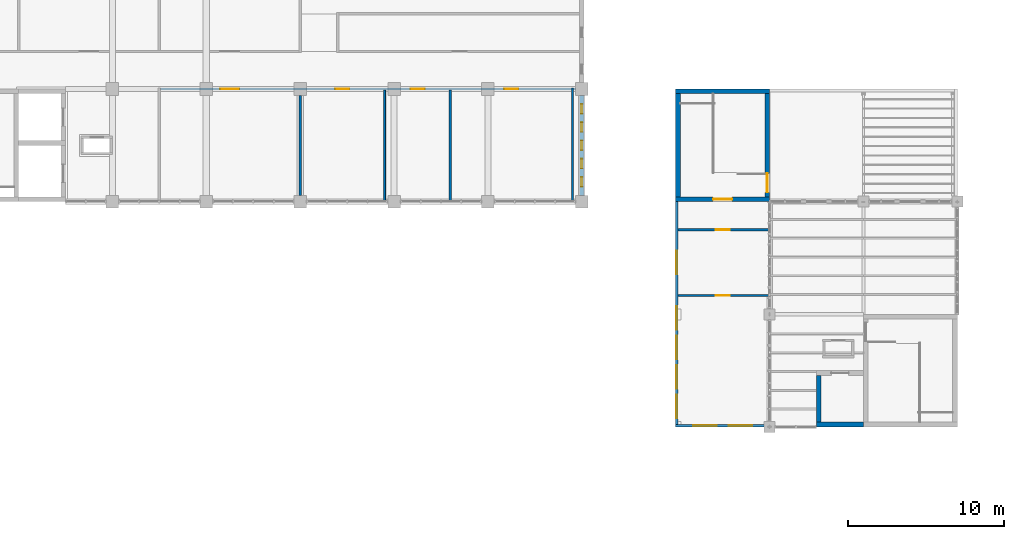
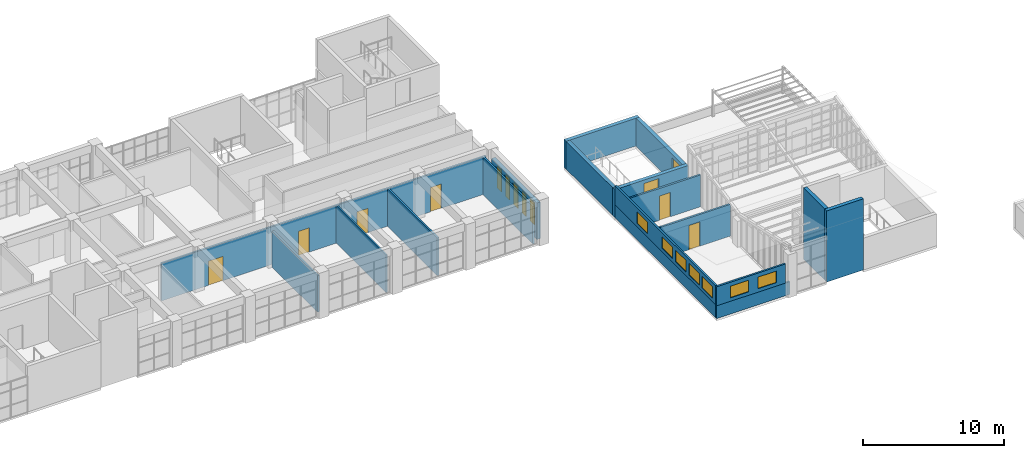
# One storey, part 38 of 51: 18 walls, 12 windows, 8 doors, 20 openings.
"""IFC4 building model written with IfcOpenShell, lengths in metres."""

from ifc_helpers import new_model, si_unit, direction, frame, frame_2d, origin, place, context, subcontext, project, spatial, rectangle, extrude, material, layer, layer_set, type_object, element, fill, save


model = new_model("IFC4")

# Units and contexts
model_context = context("Model", 3, precision=1e-05, world=origin(), true_north=direction((0.0, 1.0)))
body_context = subcontext(model_context, "Body", "Model", "MODEL_VIEW")
ifc_project = project(units=[si_unit("LENGTHUNIT", "METRE"), si_unit("AREAUNIT", "SQUARE_METRE"), si_unit("VOLUMEUNIT", "CUBIC_METRE"), si_unit("PLANEANGLEUNIT", "RADIAN"), si_unit("MASSUNIT", "GRAM", prefix="KILO")], contexts=[model_context])

# Site, building, storey
site_placement = place(None, origin())
site = spatial("IfcSite", under=ifc_project, at=site_placement, CompositionType="ELEMENT")
building_placement = place(site_placement, origin())
building = spatial("IfcBuilding", under=site, at=building_placement, Name="Laocheng Heights Fire and Rescue Headquarters", CompositionType="ELEMENT")
storey_placement = place(building_placement, frame((0.0, 0.0, 21.0)))
storey = spatial("IfcBuildingStorey", under=building, at=storey_placement, Name="L05", CompositionType="ELEMENT", Elevation=21.0)

# Wall, opening, door
ifc_material_1 = material(Name="Gypsum plaster")
ifc_layer_1 = layer(ifc_material_1, 0.010009765625, Name="PLASTER", Category="plaster")
ifc_material_2 = material(Name="Concrete blockwork MU10", Category="masonry")
ifc_layer_2 = layer(ifc_material_2, 0.1298828125, Name="BLOCKWORK", Category="masonry")
ifc_layer_3 = layer(ifc_material_1, 0.010009765625, Name="PLASTER", Category="plaster")
ifc_layer_set_1 = layer_set([ifc_layer_1, ifc_layer_2, ifc_layer_3], Name="Concrete blockwork MU10")
wall_type_1 = type_object("IfcWallType", Name="BLOCKWORK CORRIDOR WALL 150 EI 60 CREW WING", PredefinedType="PARTITIONING", material=ifc_layer_set_1)
wall_1_placement = place(storey_placement, frame((90.14990234375, 44.39990234375, 0.0), z_axis=(0.0, 0.0, 1.0), x_axis=(1.0, 0.0, 0.0)))
wall_1 = element("IfcWall", 1, at=wall_1_placement, inside=storey, type_object=wall_type_1, Name="Partition L05-001", PredefinedType="PARTITIONING", context=body_context, shape_type="SweptSolid", body=[
    extrude(rectangle(XDim=5.775146484375, YDim=0.14990234375, at=frame_2d((2.8876953125, 0.0))), origin(), (0.0, 0.0, 1.0), 2.75),
])
opening_1_placement = place(wall_1_placement, frame((2.39990234375, 0.0, 0.0)))
opening_1 = element("IfcOpeningElement", 2, at=opening_1_placement, cuts=wall_1, Name="Opening L05-T01", PredefinedType="OPENING", context=body_context, shape_type="SweptSolid", body=[
    extrude(rectangle(XDim=0.89990234375, YDim=2.10009765625, at=frame_2d((0.449951171875, 1.050048828125))), frame((0.0, 0.0849609375, 0.0), z_axis=(0.0, -1.0, 0.0), x_axis=(1.0, 0.0, 0.0)), (0.0, 0.0, 1.0), 0.169921875),
])
ifc_material_3 = material(Name="Timber door leaf, veneered", Category="wood")
door_type_1 = type_object("IfcDoorType", Name="TIMBER DOOR 900x2100 EI 30 CREW WING", OperationType="SINGLE_SWING_LEFT", PredefinedType="DOOR", material=ifc_material_3)
door_1_placement = place(opening_1_placement, origin())
door_1 = element("IfcDoor", 3, at=door_1_placement, inside=storey, type_object=door_type_1, Name="Door L05-T01", OperationType="SINGLE_SWING_LEFT", OverallHeight=2.10009765625, OverallWidth=0.89990234375, PredefinedType="DOOR", context=body_context, shape_type="SweptSolid", body=[
    extrude(rectangle(XDim=0.89990234375, YDim=2.10009765625, at=frame_2d((0.449951171875, 1.050048828125))), frame((0.0, 0.02490234375, 0.0), z_axis=(0.0, -1.0, 0.0), x_axis=(1.0, 0.0, 0.0)), (0.0, 0.0, 1.0), 0.050048828125),
])
fill(opening_1, door_1)

wall_2_placement = place(storey_placement, frame((90.14990234375, 48.60009765625, 0.0), z_axis=(0.0, 0.0, 1.0), x_axis=(1.0, 0.0, 0.0)))
wall_2 = element("IfcWall", 4, at=wall_2_placement, inside=storey, type_object=wall_type_1, Name="Partition L05-002", PredefinedType="PARTITIONING", context=body_context, shape_type="SweptSolid", body=[
    extrude(rectangle(XDim=5.775146484375, YDim=0.14990234375, at=frame_2d((2.8876953125, 0.0))), origin(), (0.0, 0.0, 1.0), 2.75),
])
opening_2_placement = place(wall_2_placement, frame((2.39990234375, 0.0, 0.0)))
opening_2 = element("IfcOpeningElement", 5, at=opening_2_placement, cuts=wall_2, Name="Opening L05-T02", PredefinedType="OPENING", context=body_context, shape_type="SweptSolid", body=[
    extrude(rectangle(XDim=0.89990234375, YDim=2.10009765625, at=frame_2d((0.449951171875, 1.050048828125))), frame((0.0, 0.0849609375, 0.0), z_axis=(0.0, -1.0, 0.0), x_axis=(1.0, 0.0, 0.0)), (0.0, 0.0, 1.0), 0.169921875),
])
door_2_placement = place(opening_2_placement, origin())
door_2 = element("IfcDoor", 6, at=door_2_placement, inside=storey, type_object=door_type_1, Name="Door L05-T02", OperationType="SINGLE_SWING_LEFT", OverallHeight=2.10009765625, OverallWidth=0.89990234375, PredefinedType="DOOR", context=body_context, shape_type="SweptSolid", body=[
    extrude(rectangle(XDim=0.89990234375, YDim=2.10009765625, at=frame_2d((0.449951171875, 1.050048828125))), frame((0.0, 0.02490234375, 0.0), z_axis=(0.0, -1.0, 0.0), x_axis=(1.0, 0.0, 0.0)), (0.0, 0.0, 1.0), 0.050048828125),
])
fill(opening_2, door_2)

# Walls
ifc_material_4 = material(Name="Gypsum plaster")
ifc_layer_4 = layer(ifc_material_4, 0.010009765625, Name="PLASTER", Category="plaster")
ifc_material_5 = material(Name="Concrete blockwork MU10", Category="masonry")
ifc_layer_5 = layer(ifc_material_5, 0.1298828125, Name="BLOCKWORK", Category="masonry")
ifc_layer_6 = layer(ifc_material_4, 0.010009765625, Name="PLASTER", Category="plaster")
ifc_layer_set_2 = layer_set([ifc_layer_4, ifc_layer_5, ifc_layer_6], Name="Concrete blockwork MU10")
wall_type_2 = type_object("IfcWallType", Name="BLOCKWORK CORRIDOR WALL 150 EI 60 HQ WING", PredefinedType="PARTITIONING", material=ifc_layer_set_2)
wall_3_placement = place(storey_placement, frame((66.0, 50.800048828125, 0.0), z_axis=(0.0, 0.0, 1.0), x_axis=(0.0, 1.0, 0.0)))
element("IfcWall", 7, at=wall_3_placement, inside=storey, type_object=wall_type_2, Name="Partition L05-007", PredefinedType="PARTITIONING", context=body_context, shape_type="SweptSolid", body=[
    extrude(rectangle(XDim=6.39990234375, YDim=0.14990234375, at=frame_2d((3.199951171875, 0.0))), origin(), (0.0, 0.0, 1.0), 3.14990234375),
])
wall_4_placement = place(storey_placement, frame((75.60009765625, 50.47509765625, 0.0), z_axis=(0.0, 0.0, 1.0), x_axis=(0.0, 1.0, 0.0)))
element("IfcWall", 8, at=wall_4_placement, inside=storey, type_object=wall_type_2, Name="Partition L05-011", PredefinedType="PARTITIONING", context=body_context, shape_type="SweptSolid", body=[
    extrude(rectangle(XDim=7.0498046875, YDim=0.14990234375, at=frame_2d((3.52490234375, 0.0))), origin(), (0.0, 0.0, 1.0), 3.25),
])
wall_5_placement = place(storey_placement, frame((83.39990234375, 50.47509765625, 0.0), z_axis=(0.0, 0.0, 1.0), x_axis=(0.0, 1.0, 0.0)))
element("IfcWall", 9, at=wall_5_placement, inside=storey, type_object=wall_type_2, Name="Partition L05-012", PredefinedType="PARTITIONING", context=body_context, shape_type="SweptSolid", body=[
    extrude(rectangle(XDim=7.199951171875, YDim=0.14990234375, at=frame_2d((3.60009765625, 0.0))), origin(), (0.0, 0.0, 1.0), 3.25),
])

# Wall, openings, doors
wall_6_placement = place(storey_placement, frame((57.074951171875, 57.60009765625, 0.0), z_axis=(0.0, 0.0, 1.0), x_axis=(1.0, 0.0, 0.0)))
wall_6 = element("IfcWall", 10, at=wall_6_placement, inside=storey, type_object=wall_type_2, Name="Partition L05-014", PredefinedType="PARTITIONING", context=body_context, shape_type="SweptSolid", body=[
    extrude(rectangle(XDim=26.525146484375, YDim=0.14990234375, at=frame_2d((13.2626953125, 0.0))), origin(), (0.0, 0.0, 1.0), 3.25),
])
opening_3_placement = place(wall_6_placement, frame((3.824951171875, 0.0, 0.0)))
opening_3 = element("IfcOpeningElement", 11, at=opening_3_placement, cuts=wall_6, Name="Opening L05-Y02", PredefinedType="OPENING", context=body_context, shape_type="SweptSolid", body=[
    extrude(rectangle(XDim=1.199951171875, YDim=2.10009765625, at=frame_2d((0.60009765625, 1.050048828125))), frame((0.0, 0.0849609375, 0.0), z_axis=(0.0, -1.0, 0.0), x_axis=(1.0, 0.0, 0.0)), (0.0, 0.0, 1.0), 0.169921875),
])
opening_4_placement = place(wall_6_placement, frame((11.175048828125, 0.0, 0.0)))
opening_4 = element("IfcOpeningElement", 12, at=opening_4_placement, cuts=wall_6, Name="Opening L05-Y03", PredefinedType="OPENING", context=body_context, shape_type="SweptSolid", body=[
    extrude(rectangle(XDim=0.89990234375, YDim=2.10009765625, at=frame_2d((0.449951171875, 1.050048828125))), frame((0.0, 0.0849609375, 0.0), z_axis=(0.0, -1.0, 0.0), x_axis=(1.0, 0.0, 0.0)), (0.0, 0.0, 1.0), 0.169921875),
])
opening_5_placement = place(wall_6_placement, frame((15.97509765625, 0.0, 0.0)))
opening_5 = element("IfcOpeningElement", 13, at=opening_5_placement, cuts=wall_6, Name="Opening L05-Y04", PredefinedType="OPENING", context=body_context, shape_type="SweptSolid", body=[
    extrude(rectangle(XDim=0.89990234375, YDim=2.10009765625, at=frame_2d((0.449951171875, 1.050048828125))), frame((0.0, 0.0849609375, 0.0), z_axis=(0.0, -1.0, 0.0), x_axis=(1.0, 0.0, 0.0)), (0.0, 0.0, 1.0), 0.169921875),
])
opening_6_placement = place(wall_6_placement, frame((21.97509765625, 0.0, 0.0)))
opening_6 = element("IfcOpeningElement", 14, at=opening_6_placement, cuts=wall_6, Name="Opening L05-Y05", PredefinedType="OPENING", context=body_context, shape_type="SweptSolid", body=[
    extrude(rectangle(XDim=0.89990234375, YDim=2.10009765625, at=frame_2d((0.449951171875, 1.050048828125))), frame((0.0, 0.0849609375, 0.0), z_axis=(0.0, -1.0, 0.0), x_axis=(1.0, 0.0, 0.0)), (0.0, 0.0, 1.0), 0.169921875),
])
ifc_material_6 = material(Name="Timber door leaf, veneered", Category="wood")
door_type_2 = type_object("IfcDoorType", Name="TIMBER DOOR 1200x2100 EI 30 HQ WING", OperationType="SINGLE_SWING_LEFT", PredefinedType="DOOR", material=ifc_material_6)
door_3_placement = place(opening_3_placement, frame((1.199951171875, 0.0, 0.0), z_axis=(0.0, 0.0, 1.0), x_axis=(-1.0, 0.0, 0.0)))
door_3 = element("IfcDoor", 15, at=door_3_placement, inside=storey, type_object=door_type_2, Name="Door L05-Y02", OperationType="SINGLE_SWING_RIGHT", OverallHeight=2.10009765625, OverallWidth=1.199951171875, PredefinedType="DOOR", context=body_context, shape_type="SweptSolid", body=[
    extrude(rectangle(XDim=1.199951171875, YDim=2.10009765625, at=frame_2d((0.60009765625, 1.050048828125))), frame((0.0, 0.02490234375, 0.0), z_axis=(0.0, -1.0, 0.0), x_axis=(1.0, 0.0, 0.0)), (0.0, 0.0, 1.0), 0.050048828125),
])
fill(opening_3, door_3)
ifc_material_7 = material(Name="Timber door leaf, veneered", Category="wood")
door_type_3 = type_object("IfcDoorType", Name="TIMBER DOOR 900x2100 EI 30 HQ WING", OperationType="SINGLE_SWING_LEFT", PredefinedType="DOOR", material=ifc_material_7)
door_4_placement = place(opening_4_placement, frame((0.89990234375, 0.0, 0.0), z_axis=(0.0, 0.0, 1.0), x_axis=(-1.0, 0.0, 0.0)))
door_4 = element("IfcDoor", 16, at=door_4_placement, inside=storey, type_object=door_type_3, Name="Door L05-Y03", OperationType="SINGLE_SWING_RIGHT", OverallHeight=2.10009765625, OverallWidth=0.89990234375, PredefinedType="DOOR", context=body_context, shape_type="SweptSolid", body=[
    extrude(rectangle(XDim=0.89990234375, YDim=2.10009765625, at=frame_2d((0.449951171875, 1.050048828125))), frame((0.0, 0.02490234375, 0.0), z_axis=(0.0, -1.0, 0.0), x_axis=(1.0, 0.0, 0.0)), (0.0, 0.0, 1.0), 0.050048828125),
])
fill(opening_4, door_4)
door_5_placement = place(opening_5_placement, frame((0.89990234375, 0.0, 0.0), z_axis=(0.0, 0.0, 1.0), x_axis=(-1.0, 0.0, 0.0)))
door_5 = element("IfcDoor", 17, at=door_5_placement, inside=storey, type_object=door_type_3, Name="Door L05-Y04", OperationType="SINGLE_SWING_RIGHT", OverallHeight=2.10009765625, OverallWidth=0.89990234375, PredefinedType="DOOR", context=body_context, shape_type="SweptSolid", body=[
    extrude(rectangle(XDim=0.89990234375, YDim=2.10009765625, at=frame_2d((0.449951171875, 1.050048828125))), frame((0.0, 0.02490234375, 0.0), z_axis=(0.0, -1.0, 0.0), x_axis=(1.0, 0.0, 0.0)), (0.0, 0.0, 1.0), 0.050048828125),
])
fill(opening_5, door_5)
door_6_placement = place(opening_6_placement, frame((0.89990234375, 0.0, 0.0), z_axis=(0.0, 0.0, 1.0), x_axis=(-1.0, 0.0, 0.0)))
door_6 = element("IfcDoor", 18, at=door_6_placement, inside=storey, type_object=door_type_3, Name="Door L05-Y05", OperationType="SINGLE_SWING_RIGHT", OverallHeight=2.10009765625, OverallWidth=0.89990234375, PredefinedType="DOOR", context=body_context, shape_type="SweptSolid", body=[
    extrude(rectangle(XDim=0.89990234375, YDim=2.10009765625, at=frame_2d((0.449951171875, 1.050048828125))), frame((0.0, 0.02490234375, 0.0), z_axis=(0.0, -1.0, 0.0), x_axis=(1.0, 0.0, 0.0)), (0.0, 0.0, 1.0), 0.050048828125),
])
fill(opening_6, door_6)

# Walls
ifc_material_8 = material(Name="Precast concrete C40/50", Category="concrete")
ifc_layer_7 = layer(ifc_material_8, 0.14990234375)
ifc_layer_set_3 = layer_set([ifc_layer_7], Name="Precast concrete C40/50")
wall_type_3 = type_object("IfcWallType", Name="PRECAST PARAPET 150 x 1100", PredefinedType="PARAPET", material=ifc_layer_set_3)
wall_7_placement = place(storey_placement, frame((90.074951171875, 36.0, 0.0), z_axis=(0.0, 0.0, 1.0), x_axis=(0.0, 1.0, 0.0)))
element("IfcWall", 19, at=wall_7_placement, inside=storey, type_object=wall_type_3, Name="Crew roof garden strip parapet", PredefinedType="PARAPET", context=body_context, shape_type="SweptSolid", body=[
    extrude(rectangle(XDim=14.39990234375, YDim=0.14990234375, at=frame_2d((7.199951171875, 0.0))), origin(), (0.0, 0.0, 1.0), 1.10009765625),
])
wall_8_placement = place(storey_placement, frame((90.0, 36.074951171875, 0.0), z_axis=(0.0, 0.0, 1.0), x_axis=(1.0, 0.0, 0.0)))
element("IfcWall", 20, at=wall_8_placement, inside=storey, type_object=wall_type_3, Name="Crew roof garden strip parapet", PredefinedType="PARAPET", context=body_context, shape_type="SweptSolid", body=[
    extrude(rectangle(XDim=6.0, YDim=0.14990234375, at=frame_2d((3.0, 0.0))), origin(), (0.0, 0.0, 1.0), 1.10009765625),
])

# Wall, openings, windows
ifc_material_9 = material(Name="Precast concrete C40/50", Category="concrete")
ifc_layer_8 = layer(ifc_material_9, 0.300048828125)
ifc_layer_set_4 = layer_set([ifc_layer_8], Name="Precast concrete C40/50")
wall_type_4 = type_object("IfcWallType", Name="PRECAST WALL PANEL 300", PredefinedType="SOLIDWALL", material=ifc_layer_set_4)
wall_9_placement = place(storey_placement, frame((84.0, 50.800048828125, 0.0), z_axis=(0.0, 0.0, 1.0), x_axis=(0.0, 1.0, 0.0)))
wall_9 = element("IfcWall", 21, at=wall_9_placement, inside=storey, type_object=wall_type_4, Name="PRECAST WALL PANEL HQ EAST L05", PredefinedType="SOLIDWALL", context=body_context, shape_type="SweptSolid", body=[
    extrude(rectangle(XDim=6.39990234375, YDim=0.300048828125, at=frame_2d((3.199951171875, 0.0))), origin(), (0.0, 0.0, 1.0), 3.14990234375),
])
opening_7_placement = place(wall_9_placement, frame((0.566650390625, 0.0, 0.89990234375)))
opening_7 = element("IfcOpeningElement", 22, at=opening_7_placement, cuts=wall_9, Name="Opening N1-X", PredefinedType="OPENING", context=body_context, shape_type="SweptSolid", body=[
    extrude(rectangle(XDim=0.60009765625, YDim=1.89990234375, at=frame_2d((0.300048828125, 0.949951171875))), frame((0.0, 0.159912109375, 0.0), z_axis=(0.0, -1.0, 0.0), x_axis=(1.0, 0.0, 0.0)), (0.0, 0.0, 1.0), 0.320068359375),
])
opening_8_placement = place(wall_9_placement, frame((1.7333984375, 0.0, 0.89990234375)))
opening_8 = element("IfcOpeningElement", 23, at=opening_8_placement, cuts=wall_9, Name="Opening N1-X", PredefinedType="OPENING", context=body_context, shape_type="SweptSolid", body=[
    extrude(rectangle(XDim=0.60009765625, YDim=1.89990234375, at=frame_2d((0.300048828125, 0.949951171875))), frame((0.0, 0.159912109375, 0.0), z_axis=(0.0, -1.0, 0.0), x_axis=(1.0, 0.0, 0.0)), (0.0, 0.0, 1.0), 0.320068359375),
])
opening_9_placement = place(wall_9_placement, frame((2.89990234375, 0.0, 0.89990234375)))
opening_9 = element("IfcOpeningElement", 24, at=opening_9_placement, cuts=wall_9, Name="Opening N1-X", PredefinedType="OPENING", context=body_context, shape_type="SweptSolid", body=[
    extrude(rectangle(XDim=0.60009765625, YDim=1.89990234375, at=frame_2d((0.300048828125, 0.949951171875))), frame((0.0, 0.159912109375, 0.0), z_axis=(0.0, -1.0, 0.0), x_axis=(1.0, 0.0, 0.0)), (0.0, 0.0, 1.0), 0.320068359375),
])
opening_10_placement = place(wall_9_placement, frame((4.066650390625, 0.0, 0.89990234375)))
opening_10 = element("IfcOpeningElement", 25, at=opening_10_placement, cuts=wall_9, Name="Opening N1-X", PredefinedType="OPENING", context=body_context, shape_type="SweptSolid", body=[
    extrude(rectangle(XDim=0.60009765625, YDim=1.89990234375, at=frame_2d((0.300048828125, 0.949951171875))), frame((0.0, 0.159912109375, 0.0), z_axis=(0.0, -1.0, 0.0), x_axis=(1.0, 0.0, 0.0)), (0.0, 0.0, 1.0), 0.320068359375),
])
opening_11_placement = place(wall_9_placement, frame((5.2333984375, 0.0, 0.89990234375)))
opening_11 = element("IfcOpeningElement", 26, at=opening_11_placement, cuts=wall_9, Name="Opening N1-X", PredefinedType="OPENING", context=body_context, shape_type="SweptSolid", body=[
    extrude(rectangle(XDim=0.60009765625, YDim=1.89990234375, at=frame_2d((0.300048828125, 0.949951171875))), frame((0.0, 0.159912109375, 0.0), z_axis=(0.0, -1.0, 0.0), x_axis=(1.0, 0.0, 0.0)), (0.0, 0.0, 1.0), 0.320068359375),
])
ifc_material_10 = material(Name="Low-e double glazing in aluminium frame", Category="aluminium")
window_type_1 = type_object("IfcWindowType", Name="WINDOW 600 x 1900 HQ END SLOT", PartitioningType="SINGLE_PANEL", PredefinedType="WINDOW", material=ifc_material_10)
window_1_placement = place(opening_7_placement, origin())
window_1 = element("IfcWindow", 27, at=window_1_placement, inside=storey, type_object=window_type_1, Name="HQ END SLOT HQ EAST L05", OverallHeight=1.89990234375, OverallWidth=0.60009765625, PartitioningType="SINGLE_PANEL", PredefinedType="WINDOW", context=body_context, shape_type="SweptSolid", body=[
    extrude(rectangle(XDim=0.60009765625, YDim=1.89990234375, at=frame_2d((0.300048828125, 0.949951171875))), frame((0.0, 0.030029296875, 0.0), z_axis=(0.0, -1.0, 0.0), x_axis=(1.0, 0.0, 0.0)), (0.0, 0.0, 1.0), 0.06005859375),
])
fill(opening_7, window_1)
window_2_placement = place(opening_8_placement, origin())
window_2 = element("IfcWindow", 28, at=window_2_placement, inside=storey, type_object=window_type_1, Name="HQ END SLOT HQ EAST L05", OverallHeight=1.89990234375, OverallWidth=0.60009765625, PartitioningType="SINGLE_PANEL", PredefinedType="WINDOW", context=body_context, shape_type="SweptSolid", body=[
    extrude(rectangle(XDim=0.60009765625, YDim=1.89990234375, at=frame_2d((0.300048828125, 0.949951171875))), frame((0.0, 0.030029296875, 0.0), z_axis=(0.0, -1.0, 0.0), x_axis=(1.0, 0.0, 0.0)), (0.0, 0.0, 1.0), 0.06005859375),
])
fill(opening_8, window_2)
window_3_placement = place(opening_9_placement, origin())
window_3 = element("IfcWindow", 29, at=window_3_placement, inside=storey, type_object=window_type_1, Name="HQ END SLOT HQ EAST L05", OverallHeight=1.89990234375, OverallWidth=0.60009765625, PartitioningType="SINGLE_PANEL", PredefinedType="WINDOW", context=body_context, shape_type="SweptSolid", body=[
    extrude(rectangle(XDim=0.60009765625, YDim=1.89990234375, at=frame_2d((0.300048828125, 0.949951171875))), frame((0.0, 0.030029296875, 0.0), z_axis=(0.0, -1.0, 0.0), x_axis=(1.0, 0.0, 0.0)), (0.0, 0.0, 1.0), 0.06005859375),
])
fill(opening_9, window_3)
window_4_placement = place(opening_10_placement, origin())
window_4 = element("IfcWindow", 30, at=window_4_placement, inside=storey, type_object=window_type_1, Name="HQ END SLOT HQ EAST L05", OverallHeight=1.89990234375, OverallWidth=0.60009765625, PartitioningType="SINGLE_PANEL", PredefinedType="WINDOW", context=body_context, shape_type="SweptSolid", body=[
    extrude(rectangle(XDim=0.60009765625, YDim=1.89990234375, at=frame_2d((0.300048828125, 0.949951171875))), frame((0.0, 0.030029296875, 0.0), z_axis=(0.0, -1.0, 0.0), x_axis=(1.0, 0.0, 0.0)), (0.0, 0.0, 1.0), 0.06005859375),
])
fill(opening_10, window_4)
window_5_placement = place(opening_11_placement, origin())
window_5 = element("IfcWindow", 31, at=window_5_placement, inside=storey, type_object=window_type_1, Name="HQ END SLOT HQ EAST L05", OverallHeight=1.89990234375, OverallWidth=0.60009765625, PartitioningType="SINGLE_PANEL", PredefinedType="WINDOW", context=body_context, shape_type="SweptSolid", body=[
    extrude(rectangle(XDim=0.60009765625, YDim=1.89990234375, at=frame_2d((0.300048828125, 0.949951171875))), frame((0.0, 0.030029296875, 0.0), z_axis=(0.0, -1.0, 0.0), x_axis=(1.0, 0.0, 0.0)), (0.0, 0.0, 1.0), 0.06005859375),
])
fill(opening_11, window_5)

ifc_material_11 = material(Name="Precast concrete C40/50", Category="concrete")
ifc_layer_9 = layer(ifc_material_11, 0.14990234375)
ifc_layer_set_5 = layer_set([ifc_layer_9], Name="Precast concrete C40/50")
wall_type_5 = type_object("IfcWallType", Name="PRECAST WALL PANEL CREW STRIP 150", PredefinedType="SOLIDWALL", material=ifc_layer_set_5)
wall_10_placement = place(storey_placement, frame((90.074951171875, 36.14990234375, 1.10009765625), z_axis=(0.0, 0.0, 1.0), x_axis=(0.0, 1.0, 0.0)))
wall_10 = element("IfcWall", 32, at=wall_10_placement, inside=storey, type_object=wall_type_5, Name="PRECAST WALL PANEL CREW STRIP CREW GARDEN STRIP WEST L05", PredefinedType="SOLIDWALL", context=body_context, shape_type="SweptSolid", body=[
    extrude(rectangle(XDim=14.25, YDim=0.14990234375, at=frame_2d((7.125, 0.0))), origin(), (0.0, 0.0, 1.0), 1.64990234375),
])
opening_12_placement = place(wall_10_placement, frame((0.39404296875, 0.0, 0.300048828125)))
opening_12 = element("IfcOpeningElement", 33, at=opening_12_placement, cuts=wall_10, Name="Opening N1-W", PredefinedType="OPENING", context=body_context, shape_type="SweptSolid", body=[
    extrude(rectangle(XDim=1.5, YDim=1.0, at=frame_2d((0.75, 0.5))), frame((0.0, 0.0849609375, 0.0), z_axis=(0.0, -1.0, 0.0), x_axis=(1.0, 0.0, 0.0)), (0.0, 0.0, 1.0), 0.169921875),
])
opening_13_placement = place(wall_10_placement, frame((2.2880859375, 0.0, 0.300048828125)))
opening_13 = element("IfcOpeningElement", 34, at=opening_13_placement, cuts=wall_10, Name="Opening N1-W", PredefinedType="OPENING", context=body_context, shape_type="SweptSolid", body=[
    extrude(rectangle(XDim=1.5, YDim=1.0, at=frame_2d((0.75, 0.5))), frame((0.0, 0.0849609375, 0.0), z_axis=(0.0, -1.0, 0.0), x_axis=(1.0, 0.0, 0.0)), (0.0, 0.0, 1.0), 0.169921875),
])
opening_14_placement = place(wall_10_placement, frame((4.181884765625, 0.0, 0.300048828125)))
opening_14 = element("IfcOpeningElement", 35, at=opening_14_placement, cuts=wall_10, Name="Opening N1-W", PredefinedType="OPENING", context=body_context, shape_type="SweptSolid", body=[
    extrude(rectangle(XDim=1.5, YDim=1.0, at=frame_2d((0.75, 0.5))), frame((0.0, 0.0849609375, 0.0), z_axis=(0.0, -1.0, 0.0), x_axis=(1.0, 0.0, 0.0)), (0.0, 0.0, 1.0), 0.169921875),
])
opening_15_placement = place(wall_10_placement, frame((6.075927734375, 0.0, 0.300048828125)))
opening_15 = element("IfcOpeningElement", 36, at=opening_15_placement, cuts=wall_10, Name="Opening N1-W", PredefinedType="OPENING", context=body_context, shape_type="SweptSolid", body=[
    extrude(rectangle(XDim=1.5, YDim=1.0, at=frame_2d((0.75, 0.5))), frame((0.0, 0.0849609375, 0.0), z_axis=(0.0, -1.0, 0.0), x_axis=(1.0, 0.0, 0.0)), (0.0, 0.0, 1.0), 0.169921875),
])
opening_16_placement = place(wall_10_placement, frame((9.60009765625, 0.0, 0.300048828125)))
opening_16 = element("IfcOpeningElement", 37, at=opening_16_placement, cuts=wall_10, Name="Opening N1-W", PredefinedType="OPENING", context=body_context, shape_type="SweptSolid", body=[
    extrude(rectangle(XDim=1.5, YDim=1.0, at=frame_2d((0.75, 0.5))), frame((0.0, 0.0849609375, 0.0), z_axis=(0.0, -1.0, 0.0), x_axis=(1.0, 0.0, 0.0)), (0.0, 0.0, 1.0), 0.169921875),
])
ifc_material_12 = material(Name="Low-e double glazing in aluminium frame", Category="aluminium")
window_type_2 = type_object("IfcWindowType", Name="WINDOW 1500 x 1000 CREW GARDEN STRIP", PartitioningType="SINGLE_PANEL", PredefinedType="WINDOW", material=ifc_material_12)
window_6_placement = place(opening_12_placement, origin())
window_6 = element("IfcWindow", 38, at=window_6_placement, inside=storey, type_object=window_type_2, Name="CREW GARDEN STRIP CREW GARDEN STRIP WEST L05", OverallHeight=1.0, OverallWidth=1.5, PartitioningType="SINGLE_PANEL", PredefinedType="WINDOW", context=body_context, shape_type="SweptSolid", body=[
    extrude(rectangle(XDim=1.5, YDim=1.0, at=frame_2d((0.75, 0.5))), frame((0.0, 0.030029296875, 0.0), z_axis=(0.0, -1.0, 0.0), x_axis=(1.0, 0.0, 0.0)), (0.0, 0.0, 1.0), 0.06005859375),
])
fill(opening_12, window_6)
window_7_placement = place(opening_13_placement, origin())
window_7 = element("IfcWindow", 39, at=window_7_placement, inside=storey, type_object=window_type_2, Name="CREW GARDEN STRIP CREW GARDEN STRIP WEST L05", OverallHeight=1.0, OverallWidth=1.5, PartitioningType="SINGLE_PANEL", PredefinedType="WINDOW", context=body_context, shape_type="SweptSolid", body=[
    extrude(rectangle(XDim=1.5, YDim=1.0, at=frame_2d((0.75, 0.5))), frame((0.0, 0.030029296875, 0.0), z_axis=(0.0, -1.0, 0.0), x_axis=(1.0, 0.0, 0.0)), (0.0, 0.0, 1.0), 0.06005859375),
])
fill(opening_13, window_7)
window_8_placement = place(opening_14_placement, origin())
window_8 = element("IfcWindow", 40, at=window_8_placement, inside=storey, type_object=window_type_2, Name="CREW GARDEN STRIP CREW GARDEN STRIP WEST L05", OverallHeight=1.0, OverallWidth=1.5, PartitioningType="SINGLE_PANEL", PredefinedType="WINDOW", context=body_context, shape_type="SweptSolid", body=[
    extrude(rectangle(XDim=1.5, YDim=1.0, at=frame_2d((0.75, 0.5))), frame((0.0, 0.030029296875, 0.0), z_axis=(0.0, -1.0, 0.0), x_axis=(1.0, 0.0, 0.0)), (0.0, 0.0, 1.0), 0.06005859375),
])
fill(opening_14, window_8)
window_9_placement = place(opening_15_placement, origin())
window_9 = element("IfcWindow", 41, at=window_9_placement, inside=storey, type_object=window_type_2, Name="CREW GARDEN STRIP CREW GARDEN STRIP WEST L05", OverallHeight=1.0, OverallWidth=1.5, PartitioningType="SINGLE_PANEL", PredefinedType="WINDOW", context=body_context, shape_type="SweptSolid", body=[
    extrude(rectangle(XDim=1.5, YDim=1.0, at=frame_2d((0.75, 0.5))), frame((0.0, 0.030029296875, 0.0), z_axis=(0.0, -1.0, 0.0), x_axis=(1.0, 0.0, 0.0)), (0.0, 0.0, 1.0), 0.06005859375),
])
fill(opening_15, window_9)
window_10_placement = place(opening_16_placement, origin())
window_10 = element("IfcWindow", 42, at=window_10_placement, inside=storey, type_object=window_type_2, Name="CREW GARDEN STRIP CREW GARDEN STRIP WEST L05", OverallHeight=1.0, OverallWidth=1.5, PartitioningType="SINGLE_PANEL", PredefinedType="WINDOW", context=body_context, shape_type="SweptSolid", body=[
    extrude(rectangle(XDim=1.5, YDim=1.0, at=frame_2d((0.75, 0.5))), frame((0.0, 0.030029296875, 0.0), z_axis=(0.0, -1.0, 0.0), x_axis=(1.0, 0.0, 0.0)), (0.0, 0.0, 1.0), 0.06005859375),
])
fill(opening_16, window_10)

wall_11_placement = place(storey_placement, frame((90.0, 36.074951171875, 1.10009765625), z_axis=(0.0, 0.0, 1.0), x_axis=(1.0, 0.0, 0.0)))
wall_11 = element("IfcWall", 43, at=wall_11_placement, inside=storey, type_object=wall_type_5, Name="PRECAST WALL PANEL CREW STRIP CREW GARDEN STRIP SOUTH L05", PredefinedType="SOLIDWALL", context=body_context, shape_type="SweptSolid", body=[
    extrude(rectangle(XDim=5.64990234375, YDim=0.14990234375, at=frame_2d((2.824951171875, 0.0))), origin(), (0.0, 0.0, 1.0), 1.64990234375),
])
opening_17_placement = place(wall_11_placement, frame((1.11669921875, 0.0, 0.300048828125)))
opening_17 = element("IfcOpeningElement", 44, at=opening_17_placement, cuts=wall_11, Name="Opening N1-W", PredefinedType="OPENING", context=body_context, shape_type="SweptSolid", body=[
    extrude(rectangle(XDim=1.5, YDim=1.0, at=frame_2d((0.75, 0.5))), frame((0.0, 0.0849609375, 0.0), z_axis=(0.0, -1.0, 0.0), x_axis=(1.0, 0.0, 0.0)), (0.0, 0.0, 1.0), 0.169921875),
])
opening_18_placement = place(wall_11_placement, frame((3.38330078125, 0.0, 0.300048828125)))
opening_18 = element("IfcOpeningElement", 45, at=opening_18_placement, cuts=wall_11, Name="Opening N1-W", PredefinedType="OPENING", context=body_context, shape_type="SweptSolid", body=[
    extrude(rectangle(XDim=1.5, YDim=1.0, at=frame_2d((0.75, 0.5))), frame((0.0, 0.0849609375, 0.0), z_axis=(0.0, -1.0, 0.0), x_axis=(1.0, 0.0, 0.0)), (0.0, 0.0, 1.0), 0.169921875),
])
window_11_placement = place(opening_17_placement, origin())
window_11 = element("IfcWindow", 46, at=window_11_placement, inside=storey, type_object=window_type_2, Name="CREW GARDEN STRIP CREW GARDEN STRIP SOUTH L05", OverallHeight=1.0, OverallWidth=1.5, PartitioningType="SINGLE_PANEL", PredefinedType="WINDOW", context=body_context, shape_type="SweptSolid", body=[
    extrude(rectangle(XDim=1.5, YDim=1.0, at=frame_2d((0.75, 0.5))), frame((0.0, 0.030029296875, 0.0), z_axis=(0.0, -1.0, 0.0), x_axis=(1.0, 0.0, 0.0)), (0.0, 0.0, 1.0), 0.06005859375),
])
fill(opening_17, window_11)
window_12_placement = place(opening_18_placement, origin())
window_12 = element("IfcWindow", 47, at=window_12_placement, inside=storey, type_object=window_type_2, Name="CREW GARDEN STRIP CREW GARDEN STRIP SOUTH L05", OverallHeight=1.0, OverallWidth=1.5, PartitioningType="SINGLE_PANEL", PredefinedType="WINDOW", context=body_context, shape_type="SweptSolid", body=[
    extrude(rectangle(XDim=1.5, YDim=1.0, at=frame_2d((0.75, 0.5))), frame((0.0, 0.030029296875, 0.0), z_axis=(0.0, -1.0, 0.0), x_axis=(1.0, 0.0, 0.0)), (0.0, 0.0, 1.0), 0.06005859375),
])
fill(opening_18, window_12)

# Walls
ifc_material_13 = material(Name="Concrete C50", Category="concrete")
ifc_layer_10 = layer(ifc_material_13, 0.300048828125)
ifc_layer_set_6 = layer_set([ifc_layer_10], Name="Concrete C50")
wall_type_6 = type_object("IfcWallType", Name="RC LIFT SHAFT WALL 300", PredefinedType="SHEAR", material=ifc_layer_set_6)
for number, where, z_axis, x_axis, name in (
    (48, (99.0, 36.14990234375, 0.0), (0.0, 0.0, 1.0), (1.0, 0.0, 0.0), "Lift shaft wall"),
    (49, (99.14990234375, 36.300048828125, 0.0), (0.0, 0.0, 1.0), (0.0, 1.0, 0.0), "Lift shaft wall"),
):
    element("IfcWall", number, at=place(storey_placement, frame(where, z_axis=z_axis, x_axis=x_axis)), inside=storey, type_object=wall_type_6, Name=name, PredefinedType="SHEAR", context=body_context, shape_type="SweptSolid", body=[
        extrude(rectangle(XDim=3.0, YDim=0.300048828125, at=frame_2d((1.5, 0.0))), origin(), (0.0, 0.0, 1.0), 6.14990234375),
    ])

# Wall, opening, door
ifc_material_14 = material(Name="Concrete C50", Category="concrete")
ifc_layer_11 = layer(ifc_material_14, 0.300048828125)
ifc_layer_set_7 = layer_set([ifc_layer_11], Name="Concrete C50")
wall_type_7 = type_object("IfcWallType", Name="RC STAIR ENCLOSURE WALL 300", PredefinedType="SHEAR", material=ifc_layer_set_7)
wall_12_placement = place(storey_placement, frame((90.0, 50.550048828125, 0.0), z_axis=(0.0, 0.0, 1.0), x_axis=(1.0, 0.0, 0.0)))
wall_12 = element("IfcWall", 50, at=wall_12_placement, inside=storey, type_object=wall_type_7, Name="Stair enclosure wall", PredefinedType="SHEAR", context=body_context, shape_type="SweptSolid", body=[
    extrude(rectangle(XDim=6.0, YDim=0.300048828125, at=frame_2d((3.0, 0.0))), origin(), (0.0, 0.0, 1.0), 2.39990234375),
])
opening_19_placement = place(wall_12_placement, frame((2.39990234375, 0.0, 0.0)))
opening_19 = element("IfcOpeningElement", 51, at=opening_19_placement, cuts=wall_12, Name="Opening L05-K04", PredefinedType="OPENING", context=body_context, shape_type="SweptSolid", body=[
    extrude(rectangle(XDim=1.199951171875, YDim=2.10009765625, at=frame_2d((0.60009765625, 1.050048828125))), frame((0.0, 0.159912109375, 0.0), z_axis=(0.0, -1.0, 0.0), x_axis=(1.0, 0.0, 0.0)), (0.0, 0.0, 1.0), 0.320068359375),
])
ifc_material_15 = material(Name="Painted steel", Category="steel")
door_type_4 = type_object("IfcDoorType", Name="FIRE DOOR 1200x2100 EI 60", OperationType="SINGLE_SWING_LEFT", PredefinedType="DOOR", material=ifc_material_15)
door_7_placement = place(opening_19_placement, frame((1.199951171875, 0.0, 0.0), z_axis=(0.0, 0.0, 1.0), x_axis=(-1.0, 0.0, 0.0)))
door_7 = element("IfcDoor", 52, at=door_7_placement, inside=storey, type_object=door_type_4, Name="Stair C2 door", OperationType="SINGLE_SWING_RIGHT", OverallHeight=2.10009765625, OverallWidth=1.199951171875, PredefinedType="DOOR", context=body_context, shape_type="SweptSolid", body=[
    extrude(rectangle(XDim=1.199951171875, YDim=2.10009765625, at=frame_2d((0.60009765625, 1.050048828125))), frame((0.0, 0.02490234375, 0.0), z_axis=(0.0, -1.0, 0.0), x_axis=(1.0, 0.0, 0.0)), (0.0, 0.0, 1.0), 0.050048828125),
])
fill(opening_19, door_7)

# Walls
wall_13_placement = place(storey_placement, frame((90.0, 57.449951171875, 0.0), z_axis=(0.0, 0.0, 1.0), x_axis=(1.0, 0.0, 0.0)))
element("IfcWall", 53, at=wall_13_placement, inside=storey, type_object=wall_type_7, Name="Stair enclosure wall", PredefinedType="SHEAR", context=body_context, shape_type="SweptSolid", body=[
    extrude(rectangle(XDim=6.0, YDim=0.300048828125, at=frame_2d((3.0, 0.0))), origin(), (0.0, 0.0, 1.0), 2.39990234375),
])
wall_14_placement = place(storey_placement, frame((90.14990234375, 50.699951171875, 0.0), z_axis=(0.0, 0.0, 1.0), x_axis=(0.0, 1.0, 0.0)))
element("IfcWall", 54, at=wall_14_placement, inside=storey, type_object=wall_type_7, Name="Stair enclosure wall", PredefinedType="SHEAR", context=body_context, shape_type="SweptSolid", body=[
    extrude(rectangle(XDim=6.60009765625, YDim=0.300048828125, at=frame_2d((3.300048828125, 0.0))), origin(), (0.0, 0.0, 1.0), 2.39990234375),
])

# Wall, opening, door
wall_15_placement = place(storey_placement, frame((95.85009765625, 50.699951171875, 0.0), z_axis=(0.0, 0.0, 1.0), x_axis=(0.0, 1.0, 0.0)))
wall_15 = element("IfcWall", 55, at=wall_15_placement, inside=storey, type_object=wall_type_7, Name="Stair enclosure wall", PredefinedType="SHEAR", context=body_context, shape_type="SweptSolid", body=[
    extrude(rectangle(XDim=6.60009765625, YDim=0.300048828125, at=frame_2d((3.300048828125, 0.0))), origin(), (0.0, 0.0, 1.0), 2.39990234375),
])
opening_20_placement = place(wall_15_placement, frame((0.300048828125, 0.0, 0.0)))
opening_20 = element("IfcOpeningElement", 56, at=opening_20_placement, cuts=wall_15, Name="Opening L05-K05", PredefinedType="OPENING", context=body_context, shape_type="SweptSolid", body=[
    extrude(rectangle(XDim=1.199951171875, YDim=2.10009765625, at=frame_2d((0.60009765625, 1.050048828125))), frame((0.0, 0.159912109375, 0.0), z_axis=(0.0, -1.0, 0.0), x_axis=(1.0, 0.0, 0.0)), (0.0, 0.0, 1.0), 0.320068359375),
])
door_8_placement = place(opening_20_placement, frame((1.199951171875, 0.0, 0.0), z_axis=(0.0, 0.0, 1.0), x_axis=(-1.0, 0.0, 0.0)))
door_8 = element("IfcDoor", 57, at=door_8_placement, inside=storey, type_object=door_type_4, Name="Stair C2 garden door", OperationType="SINGLE_SWING_RIGHT", OverallHeight=2.10009765625, OverallWidth=1.199951171875, PredefinedType="DOOR", context=body_context, shape_type="SweptSolid", body=[
    extrude(rectangle(XDim=1.199951171875, YDim=2.10009765625, at=frame_2d((0.60009765625, 1.050048828125))), frame((0.0, 0.02490234375, 0.0), z_axis=(0.0, -1.0, 0.0), x_axis=(1.0, 0.0, 0.0)), (0.0, 0.0, 1.0), 0.050048828125),
])
fill(opening_20, door_8)

# Wall
ifc_material_16 = material(Name="Gypsum plasterboard")
ifc_layer_12 = layer(ifc_material_16, 0.02490234375, Name="OUTER PLASTERBOARD", Category="board")
ifc_material_17 = material(Name="Steel studs with mineral wool fill", Category="steel")
ifc_layer_13 = layer(ifc_material_17, 0.070068359375, Name="STEEL STUD AND MINERAL WOOL", Category="insulation")
ifc_layer_14 = layer(ifc_material_16, 0.02490234375, Name="INNER PLASTERBOARD", Category="board")
ifc_layer_set_8 = layer_set([ifc_layer_12, ifc_layer_13, ifc_layer_14], Name="Gypsum board on steel stud")
wall_type_8 = type_object("IfcWallType", Name="STUD PARTITION 120 EI 45 HQ WING", PredefinedType="PARTITIONING", material=ifc_layer_set_8)
wall_16_placement = place(storey_placement, frame((71.39990234375, 50.47509765625, 0.0), z_axis=(0.0, 0.0, 1.0), x_axis=(0.0, 1.0, 0.0)))
element("IfcWall", 58, at=wall_16_placement, inside=storey, type_object=wall_type_8, Name="Partition L05-010", PredefinedType="PARTITIONING", context=body_context, shape_type="SweptSolid", body=[
    extrude(rectangle(XDim=7.0498046875, YDim=0.1201171875, at=frame_2d((3.52490234375, 0.0))), origin(), (0.0, 0.0, 1.0), 3.25),
])

save(model, "model.ifc")
